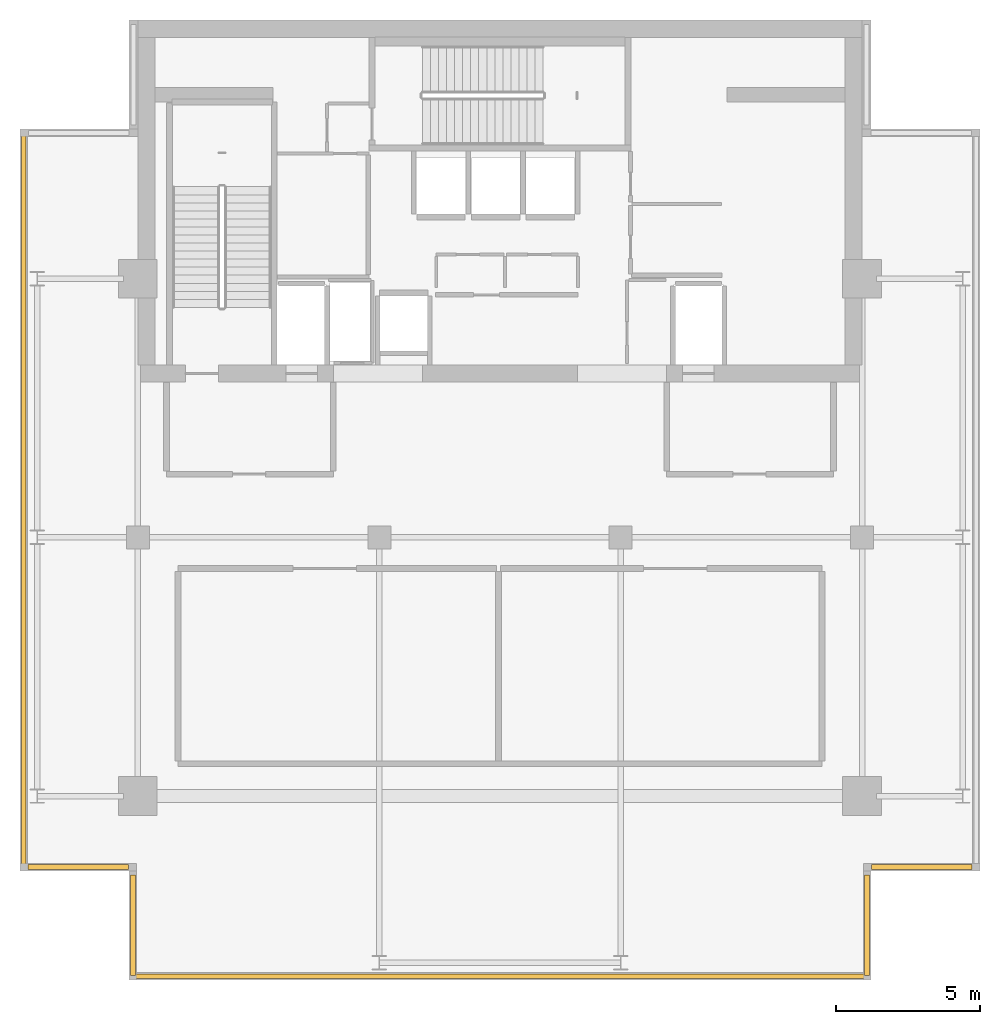
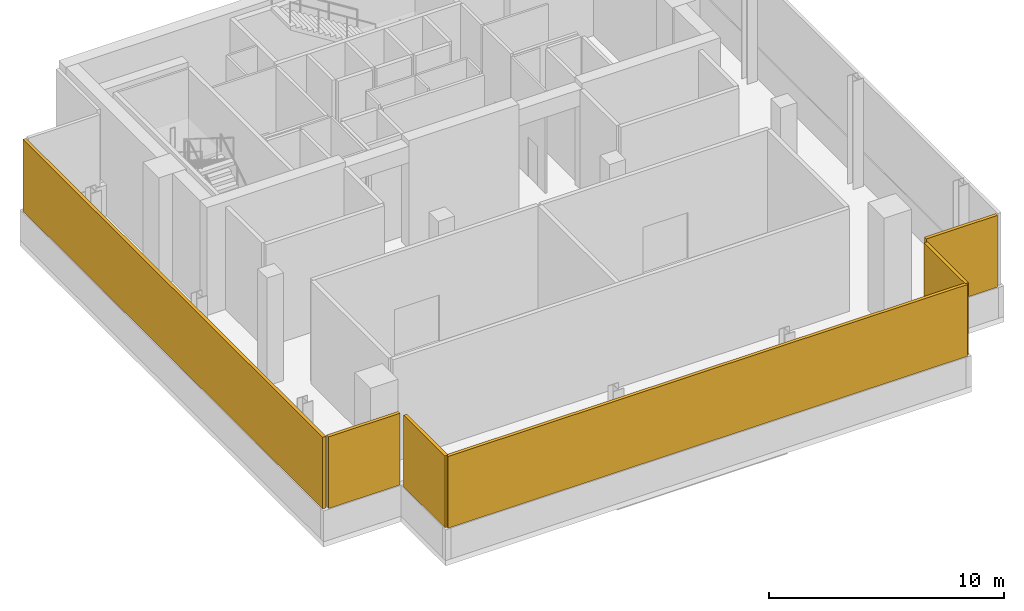
# One storey, part 4 of 6: 6 shading devices.
"""IFC4 building model written with IfcOpenShell, lengths in metres."""

from ifc_helpers import new_model, si_unit, direction, frame, origin, origin_2d, place, context, subcontext, project, spatial, rectangle, extrude, material, layer, layer_set, type_object, element, save


model = new_model("IFC4")

# Units and contexts
model_context = context("Model", 3, precision=1e-05, world=origin(), true_north=direction((0.0, 1.0)))
body_context = subcontext(model_context, "Body", "Model", "MODEL_VIEW")
ifc_project = project(units=[si_unit("LENGTHUNIT", "METRE"), si_unit("AREAUNIT", "SQUARE_METRE"), si_unit("VOLUMEUNIT", "CUBIC_METRE"), si_unit("PLANEANGLEUNIT", "RADIAN"), si_unit("MASSUNIT", "GRAM", prefix="KILO")], contexts=[model_context])

# Site, building, storey
site_placement = place(None, origin())
site = spatial("IfcSite", under=ifc_project, at=site_placement, CompositionType="ELEMENT")
building_placement = place(site_placement, origin())
building = spatial("IfcBuilding", under=site, at=building_placement, Name="Maruvema Waterfront Hotel and Observation Tower", CompositionType="ELEMENT")
storey_placement = place(building_placement, frame((0.0, 0.0, 364.35009765625)))
storey = spatial("IfcBuildingStorey", under=building, at=storey_placement, Name="L89", CompositionType="ELEMENT", Elevation=364.35009765625)

# Shading devices
ifc_material = material(Name="Anodised architectural bronze aluminium", Category="aluminium")
ifc_layer = layer(ifc_material, 0.14990234375, Name="Acoustic Weatherproof Plant Louvre Panel 150 mm")
ifc_layer_set = layer_set([ifc_layer], Name="Anodised architectural bronze aluminium")
shading_device_type = type_object("IfcShadingDeviceType", Name="Acoustic Weatherproof Plant Louvre Panel 150 mm", PredefinedType="JALOUSIE", material=ifc_layer_set)
shading_device_1_placement = place(storey_placement, frame((37.800048828125, 20.72998046875, 1.60009765625), z_axis=(0.0, 0.0, 1.0), x_axis=(1.0, 0.0, 0.0)))
element("IfcShadingDevice", 1, at=shading_device_1_placement, inside=storey, type_object=shading_device_type, Name="L89 Mechanical Acoustic Louvre 01", PredefinedType="JALOUSIE", context=body_context, shape_type="SweptSolid", body=[
    extrude(rectangle(XDim=25.5, YDim=0.159912109375, at=origin_2d()), origin(), (0.0, 0.0, 1.0), 3.719970703125),
])
for number, where, z_axis, x_axis, name in (
    (2, (50.570068359375, 22.5, 1.60009765625), (0.0, 0.0, 1.0), (0.0, 1.0, 0.0), "L89 Mechanical Acoustic Louvre 02"),
    (3, (52.469970703125, 24.530029296875, 1.60009765625), (0.0, 0.0, 1.0), (1.0, 0.0, 0.0), "L89 Mechanical Acoustic Louvre 03"),
):
    element("IfcShadingDevice", number, at=place(storey_placement, frame(where, z_axis=z_axis, x_axis=x_axis)), inside=storey, type_object=shading_device_type, Name=name, PredefinedType="JALOUSIE", context=body_context, shape_type="SweptSolid", body=[
        extrude(rectangle(XDim=3.5, YDim=0.159912109375, at=origin_2d()), origin(), (0.0, 0.0, 1.0), 3.719970703125),
    ])
shading_device_2_placement = place(storey_placement, frame((21.22998046875, 37.300048828125, 1.60009765625), z_axis=(0.0, 0.0, 1.0), x_axis=(0.0, -1.0, 0.0)))
element("IfcShadingDevice", 4, at=shading_device_2_placement, inside=storey, type_object=shading_device_type, Name="L89 Mechanical Acoustic Louvre 10", PredefinedType="JALOUSIE", context=body_context, shape_type="SweptSolid", body=[
    extrude(rectangle(XDim=25.5, YDim=0.159912109375, at=origin_2d()), origin(), (0.0, 0.0, 1.0), 3.719970703125),
])
for number, where, z_axis, x_axis, name in (
    (5, (23.1298828125, 24.530029296875, 1.60009765625), (0.0, 0.0, 1.0), (1.0, 0.0, 0.0), "L89 Mechanical Acoustic Louvre 11"),
    (6, (25.030029296875, 22.5, 1.60009765625), (0.0, 0.0, 1.0), (0.0, -1.0, 0.0), "L89 Mechanical Acoustic Louvre 12"),
):
    element("IfcShadingDevice", number, at=place(storey_placement, frame(where, z_axis=z_axis, x_axis=x_axis)), inside=storey, type_object=shading_device_type, Name=name, PredefinedType="JALOUSIE", context=body_context, shape_type="SweptSolid", body=[
        extrude(rectangle(XDim=3.5, YDim=0.159912109375, at=origin_2d()), origin(), (0.0, 0.0, 1.0), 3.719970703125),
    ])

save(model, "model.ifc")
